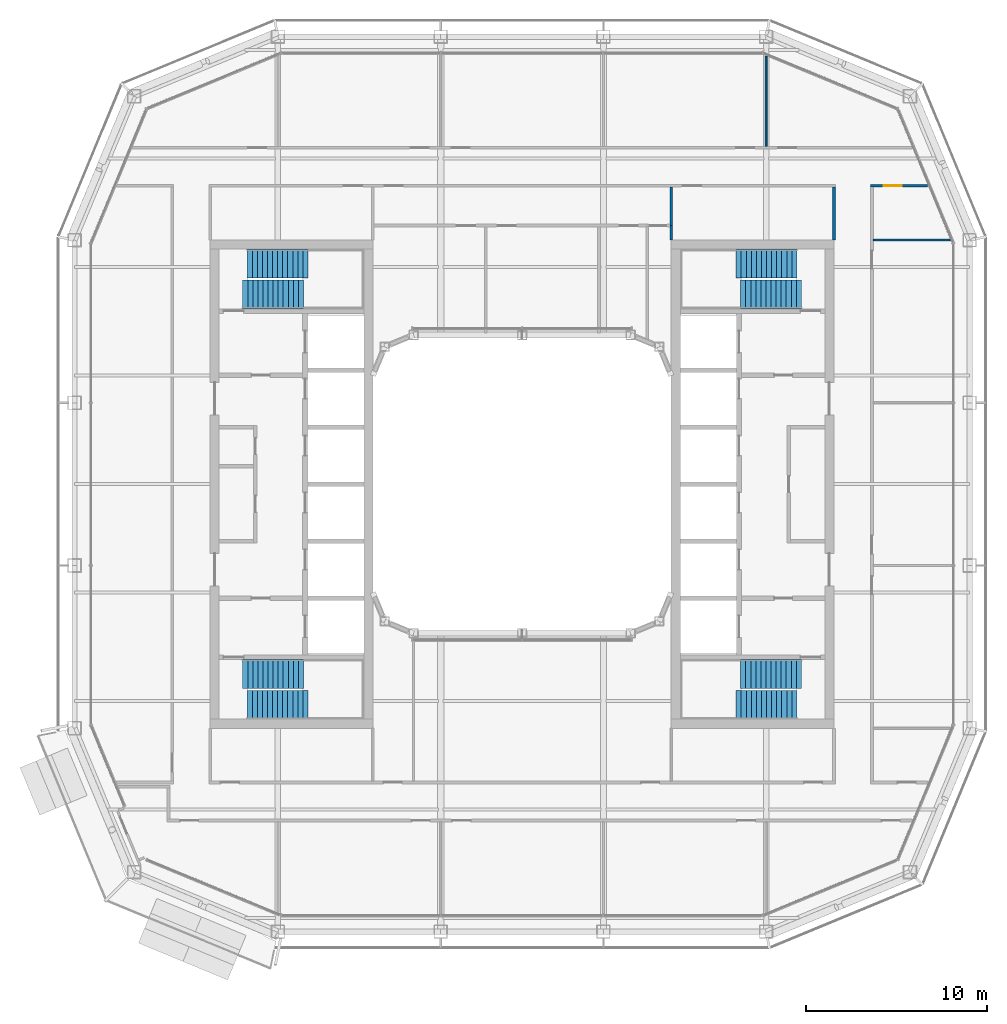
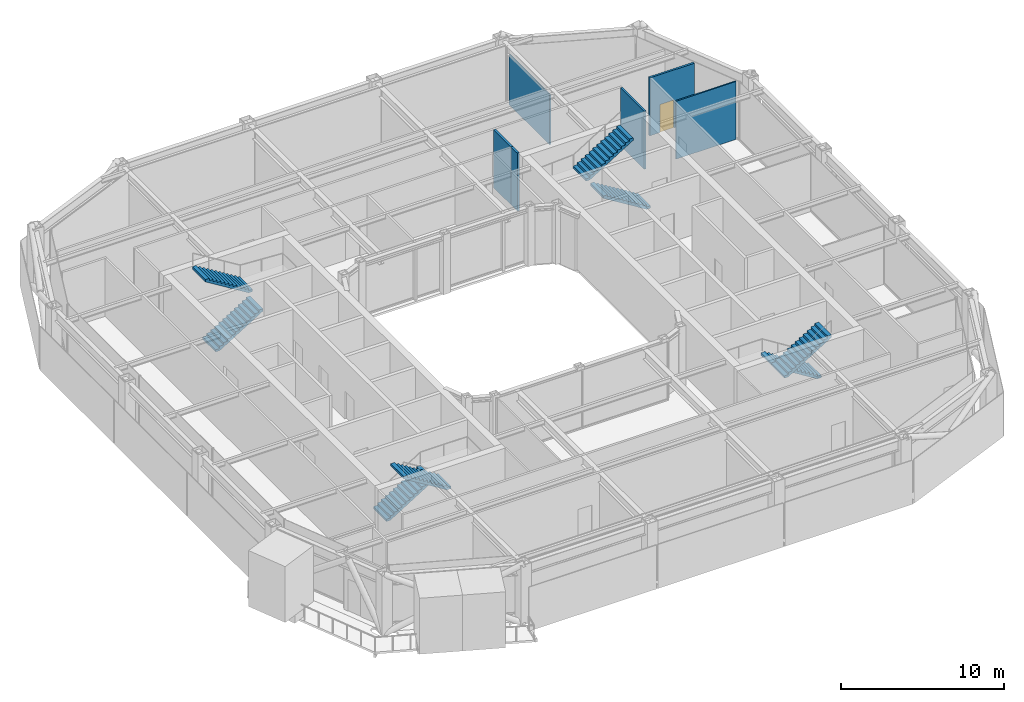
# One storey, part 13 of 20: 8 stair flights, 6 walls, 1 door, 1 opening, 4 elements without a shape of their own.
"""IFC4 building model written with IfcOpenShell, lengths in metres."""

from ifc_helpers import new_model, si_unit, direction, frame, frame_2d, origin, place, context, subcontext, project, spatial, polyline, rectangle, outline, extrude, material, layer, layer_set, type_object, element, fill, aggregate, save


model = new_model("IFC4")

# Units and contexts
model_context = context("Model", 3, precision=1e-05, world=origin(), true_north=direction((0.0, 1.0)))
body_context = subcontext(model_context, "Body", "Model", "MODEL_VIEW")
ifc_project = project(units=[si_unit("LENGTHUNIT", "METRE"), si_unit("AREAUNIT", "SQUARE_METRE"), si_unit("VOLUMEUNIT", "CUBIC_METRE"), si_unit("PLANEANGLEUNIT", "RADIAN"), si_unit("MASSUNIT", "GRAM", prefix="KILO")], contexts=[model_context])

# Site, building, storey
site_placement = place(None, origin())
site = spatial("IfcSite", under=ifc_project, at=site_placement, CompositionType="ELEMENT")
building_placement = place(site_placement, origin())
building = spatial("IfcBuilding", under=site, at=building_placement, Name="Siwar Civic Tower", CompositionType="ELEMENT")
storey_placement = place(building_placement, frame((0.0, 0.0, 298.699951171875)))
storey = spatial("IfcBuildingStorey", under=building, at=storey_placement, Name="L64", CompositionType="ELEMENT", Elevation=298.699951171875)

# Wall
ifc_material_1 = material(Name="Gypsum board on steel studs", Category="steel")
ifc_layer_1 = layer(ifc_material_1, 0.14990234375)
ifc_layer_set_1 = layer_set([ifc_layer_1], Name="Gypsum board on steel studs")
wall_type_1 = type_object("IfcWallType", Name="COMPARTMENT PARTITION 150 EI 60", PredefinedType="PARTITIONING", material=ifc_layer_set_1)
wall_1_placement = place(storey_placement, frame((8.25, 13.5, 0.0), z_axis=(0.0, 0.0, 1.0), x_axis=(0.0, 1.0, 0.0)))
element("IfcWall", 1, at=wall_1_placement, inside=storey, type_object=wall_type_1, Name="L64/wall/P34", PredefinedType="PARTITIONING", context=body_context, shape_type="SweptSolid", body=[
    extrude(rectangle(XDim=0.800048828125, YDim=0.14990234375, at=frame_2d((0.39990234375, 0.0))), origin(), (0.0, 0.0, 1.0), 4.35009765625),
])

# Wall, opening, door
ifc_material_2 = material(Name="Gypsum board on steel studs", Category="steel")
ifc_layer_2 = layer(ifc_material_2, 0.14990234375)
ifc_layer_set_2 = layer_set([ifc_layer_2], Name="Gypsum board on steel studs")
wall_type_2 = type_object("IfcWallType", Name="CORRIDOR PARTITION 150 EI 30", PredefinedType="PARTITIONING", material=ifc_layer_set_2)
wall_2_placement = place(storey_placement, frame((19.27490234375, 16.5, 0.0), z_axis=(0.0, 0.0, 1.0), x_axis=(1.0, 0.0, 0.0)))
wall_2 = element("IfcWall", 2, at=wall_2_placement, inside=storey, type_object=wall_type_2, Name="L64/wall/P14", PredefinedType="PARTITIONING", context=body_context, shape_type="SweptSolid", body=[
    extrude(rectangle(XDim=3.1611328125, YDim=0.14990234375, at=frame_2d((1.58056640625, 0.0))), origin(), (0.0, 0.0, 1.0), 4.35009765625),
])
opening_placement = place(wall_2_placement, frame((0.72509765625, 0.0, 0.0)))
opening = element("IfcOpeningElement", 3, at=opening_placement, cuts=wall_2, Name="Opening D1", PredefinedType="OPENING", context=body_context, shape_type="SweptSolid", body=[
    extrude(rectangle(XDim=1.0, YDim=2.10009765625, at=frame_2d((0.5, 1.050048828125))), frame((0.0, 0.0849609375, 0.0), z_axis=(0.0, -1.0, 0.0), x_axis=(1.0, 0.0, 0.0)), (0.0, 0.0, 1.0), 0.169921875),
])
ifc_material_3 = material(Name="Timber, painted", Category="wood")
door_type = type_object("IfcDoorType", Name="DOOR 1000 X 2100 FD30", OperationType="SINGLE_SWING_LEFT", PredefinedType="DOOR", material=ifc_material_3)
door_placement = place(opening_placement, origin())
door = element("IfcDoor", 4, at=door_placement, inside=storey, type_object=door_type, Name="L64-D27", OperationType="SINGLE_SWING_LEFT", OverallHeight=2.10009765625, OverallWidth=1.0, PredefinedType="DOOR", context=body_context, shape_type="SweptSolid", body=[
    extrude(rectangle(XDim=1.0, YDim=2.10009765625, at=frame_2d((0.5, 1.050048828125))), frame((0.0, 0.02490234375, 0.0), z_axis=(0.0, -1.0, 0.0), x_axis=(1.0, 0.0, 0.0)), (0.0, 0.0, 1.0), 0.050048828125),
])
fill(opening, door)

# Walls
wall_3_placement = place(storey_placement, frame((8.25, 14.300048828125, 0.0), z_axis=(0.0, 0.0, 1.0), x_axis=(0.0, 1.0, 0.0)))
element("IfcWall", 5, at=wall_3_placement, inside=storey, type_object=wall_type_2, Name="L64/wall/P33", PredefinedType="PARTITIONING", context=body_context, shape_type="SweptSolid", body=[
    extrude(rectangle(XDim=2.125, YDim=0.14990234375, at=frame_2d((1.0625, 0.0))), origin(), (0.0, 0.0, 1.0), 4.35009765625),
])
wall_4_placement = place(storey_placement, frame((17.25, 13.5, 0.0), z_axis=(0.0, 0.0, 1.0), x_axis=(0.0, 1.0, 0.0)))
element("IfcWall", 6, at=wall_4_placement, inside=storey, type_object=wall_type_2, Name="L64/wall/P38", PredefinedType="PARTITIONING", context=body_context, shape_type="SweptSolid", body=[
    extrude(rectangle(XDim=2.925048828125, YDim=0.14990234375, at=frame_2d((1.46240234375, 0.0))), origin(), (0.0, 0.0, 1.0), 4.35009765625),
])
ifc_material_4 = material(Name="Gypsum board on steel studs", Category="steel")
ifc_layer_3 = layer(ifc_material_4, 0.10009765625)
ifc_layer_set_3 = layer_set([ifc_layer_3], Name="Gypsum board on steel studs")
wall_type_3 = type_object("IfcWallType", Name="PARTITION 100 GYPSUM", PredefinedType="PARTITIONING", material=ifc_layer_set_3)
wall_5_placement = place(storey_placement, frame((19.425048828125, 13.5, 0.0), z_axis=(0.0, 0.0, 1.0), x_axis=(1.0, 0.0, 0.0)))
element("IfcWall", 7, at=wall_5_placement, inside=storey, type_object=wall_type_3, Name="L64/wall/P09", PredefinedType="PARTITIONING", context=body_context, shape_type="SweptSolid", body=[
    extrude(rectangle(XDim=4.2529296875, YDim=0.10009765625, at=frame_2d((2.12646484375, 0.0))), origin(), (0.0, 0.0, 1.0), 4.35009765625),
])
wall_6_placement = place(storey_placement, frame((13.5, 18.675048828125, 0.0), z_axis=(0.0, 0.0, 1.0), x_axis=(0.0, 1.0, 0.0)))
element("IfcWall", 8, at=wall_6_placement, inside=storey, type_object=wall_type_3, Name="L64/wall/P36", PredefinedType="PARTITIONING", context=body_context, shape_type="SweptSolid", body=[
    extrude(rectangle(XDim=5.0029296875, YDim=0.10009765625, at=frame_2d((2.50146484375, 0.0))), origin(), (0.0, 0.0, 1.0), 3.75),
])

# Stair, stair flights
ifc_material_5 = material(Name="Concrete C40/50", Category="concrete")
stair_type = type_object("IfcStairType", Name="CORE-STAIR", PredefinedType="TWO_STRAIGHT_RUN_STAIR", material=ifc_material_5)
stair_1_placement = place(storey_placement, origin())
stair_1 = element("IfcStair", 9, at=stair_1_placement, inside=storey, type_object=stair_type, Name="Exit stair ST1", PredefinedType="TWO_STRAIGHT_RUN_STAIR")
ifc_material_6 = material(Name="Concrete C40/50", Category="concrete")
stair_flight_type = type_object("IfcStairFlightType", Name="CORE-STAIR-FLIGHT", PredefinedType="STRAIGHT", material=ifc_material_6)
stair_flight_1_placement = place(storey_placement, frame((-15.449951171875, 10.5, 0.0), z_axis=(0.0, 0.0, 1.0), x_axis=(1.0, 0.0, 0.0)))
stair_flight_1 = element("IfcStairFlight", 10, at=stair_flight_1_placement, type_object=stair_flight_type, Name="ST1 flight 1", NumberOfRisers=13, NumberOfTreads=12, PredefinedType="STRAIGHT", RiserHeight=0.173076923, TreadLength=0.28, context=body_context, shape_type="SweptSolid", body=[
    extrude(outline(polyline([(0.0, 0.0), (0.0, 0.173095703125), (0.280029296875, 0.173095703125), (0.280029296875, 0.34619140625), (0.56005859375, 0.34619140625), (0.56005859375, 0.519287109375), (0.840087890625, 0.519287109375), (0.840087890625, 0.6923828125), (1.1201171875, 0.6923828125), (1.1201171875, 0.865478515625), (1.39990234375, 0.865478515625), (1.39990234375, 1.03857421875), (1.679931640625, 1.03857421875), (1.679931640625, 1.21142578125), (1.9599609375, 1.21142578125), (1.9599609375, 1.384521484375), (2.239990234375, 1.384521484375), (2.239990234375, 1.5576171875), (2.52001953125, 1.5576171875), (2.52001953125, 1.730712890625), (2.800048828125, 1.730712890625), (2.800048828125, 1.90380859375), (3.080078125, 1.90380859375), (3.080078125, 2.076904296875), (3.360107421875, 2.076904296875), (3.360107421875, 2.25), (3.360107421875, 1.900634765625), (0.28515625, 0.0), (0.0, 0.0)])), frame((0.0, 0.800048828125, 0.0), z_axis=(0.0, -1.0, 0.0), x_axis=(1.0, 0.0, 0.0)), (0.0, 0.0, 1.0), 1.60009765625),
])
stair_flight_2_placement = place(storey_placement, frame((-11.840087890625, 12.199951171875, 2.25), z_axis=(0.0, 0.0, 1.0), x_axis=(-1.0, 0.0, 0.0)))
stair_flight_2 = element("IfcStairFlight", 11, at=stair_flight_2_placement, type_object=stair_flight_type, Name="ST1 flight 2", NumberOfRisers=13, NumberOfTreads=12, PredefinedType="STRAIGHT", RiserHeight=0.173076923, TreadLength=0.28, context=body_context, shape_type="SweptSolid", body=[
    extrude(outline(polyline([(0.0, 0.0), (0.0, 0.173095703125), (0.280029296875, 0.173095703125), (0.280029296875, 0.34619140625), (0.56005859375, 0.34619140625), (0.56005859375, 0.519287109375), (0.840087890625, 0.519287109375), (0.840087890625, 0.6923828125), (1.1201171875, 0.6923828125), (1.1201171875, 0.865478515625), (1.39990234375, 0.865478515625), (1.39990234375, 1.03857421875), (1.679931640625, 1.03857421875), (1.679931640625, 1.21142578125), (1.9599609375, 1.21142578125), (1.9599609375, 1.384521484375), (2.239990234375, 1.384521484375), (2.239990234375, 1.5576171875), (2.52001953125, 1.5576171875), (2.52001953125, 1.730712890625), (2.800048828125, 1.730712890625), (2.800048828125, 1.90380859375), (3.080078125, 1.90380859375), (3.080078125, 2.076904296875), (3.360107421875, 2.076904296875), (3.360107421875, 2.25), (3.360107421875, 1.900634765625), (0.28515625, 0.0), (0.0, 0.0)])), frame((0.0, 0.800048828125, 0.0), z_axis=(0.0, -1.0, 0.0), x_axis=(1.0, 0.0, 0.0)), (0.0, 0.0, 1.0), 1.60009765625),
])
aggregate(stair_1, [stair_flight_1, stair_flight_2])

stair_2_placement = place(storey_placement, origin())
stair_2 = element("IfcStair", 12, at=stair_2_placement, inside=storey, type_object=stair_type, Name="Exit stair ST2", PredefinedType="TWO_STRAIGHT_RUN_STAIR")
stair_flight_3_placement = place(storey_placement, frame((-15.449951171875, -10.5, 0.0), z_axis=(0.0, 0.0, 1.0), x_axis=(1.0, 0.0, 0.0)))
stair_flight_3 = element("IfcStairFlight", 13, at=stair_flight_3_placement, type_object=stair_flight_type, Name="ST2 flight 1", NumberOfRisers=13, NumberOfTreads=12, PredefinedType="STRAIGHT", RiserHeight=0.173076923, TreadLength=0.28, context=body_context, shape_type="SweptSolid", body=[
    extrude(outline(polyline([(0.0, 0.0), (0.0, 0.173095703125), (0.280029296875, 0.173095703125), (0.280029296875, 0.34619140625), (0.56005859375, 0.34619140625), (0.56005859375, 0.519287109375), (0.840087890625, 0.519287109375), (0.840087890625, 0.6923828125), (1.1201171875, 0.6923828125), (1.1201171875, 0.865478515625), (1.39990234375, 0.865478515625), (1.39990234375, 1.03857421875), (1.679931640625, 1.03857421875), (1.679931640625, 1.21142578125), (1.9599609375, 1.21142578125), (1.9599609375, 1.384521484375), (2.239990234375, 1.384521484375), (2.239990234375, 1.5576171875), (2.52001953125, 1.5576171875), (2.52001953125, 1.730712890625), (2.800048828125, 1.730712890625), (2.800048828125, 1.90380859375), (3.080078125, 1.90380859375), (3.080078125, 2.076904296875), (3.360107421875, 2.076904296875), (3.360107421875, 2.25), (3.360107421875, 1.900634765625), (0.28515625, 0.0), (0.0, 0.0)])), frame((0.0, 0.800048828125, 0.0), z_axis=(0.0, -1.0, 0.0), x_axis=(1.0, 0.0, 0.0)), (0.0, 0.0, 1.0), 1.60009765625),
])
stair_flight_4_placement = place(storey_placement, frame((-11.840087890625, -12.199951171875, 2.25), z_axis=(0.0, 0.0, 1.0), x_axis=(-1.0, 0.0, 0.0)))
stair_flight_4 = element("IfcStairFlight", 14, at=stair_flight_4_placement, type_object=stair_flight_type, Name="ST2 flight 2", NumberOfRisers=13, NumberOfTreads=12, PredefinedType="STRAIGHT", RiserHeight=0.173076923, TreadLength=0.28, context=body_context, shape_type="SweptSolid", body=[
    extrude(outline(polyline([(0.0, 0.0), (0.0, 0.173095703125), (0.280029296875, 0.173095703125), (0.280029296875, 0.34619140625), (0.56005859375, 0.34619140625), (0.56005859375, 0.519287109375), (0.840087890625, 0.519287109375), (0.840087890625, 0.6923828125), (1.1201171875, 0.6923828125), (1.1201171875, 0.865478515625), (1.39990234375, 0.865478515625), (1.39990234375, 1.03857421875), (1.679931640625, 1.03857421875), (1.679931640625, 1.21142578125), (1.9599609375, 1.21142578125), (1.9599609375, 1.384521484375), (2.239990234375, 1.384521484375), (2.239990234375, 1.5576171875), (2.52001953125, 1.5576171875), (2.52001953125, 1.730712890625), (2.800048828125, 1.730712890625), (2.800048828125, 1.90380859375), (3.080078125, 1.90380859375), (3.080078125, 2.076904296875), (3.360107421875, 2.076904296875), (3.360107421875, 2.25), (3.360107421875, 1.900634765625), (0.28515625, 0.0), (0.0, 0.0)])), frame((0.0, 0.800048828125, 0.0), z_axis=(0.0, -1.0, 0.0), x_axis=(1.0, 0.0, 0.0)), (0.0, 0.0, 1.0), 1.60009765625),
])
aggregate(stair_2, [stair_flight_3, stair_flight_4])

stair_3_placement = place(storey_placement, origin())
stair_3 = element("IfcStair", 15, at=stair_3_placement, inside=storey, type_object=stair_type, Name="Exit stair ST3", PredefinedType="TWO_STRAIGHT_RUN_STAIR")
stair_flight_5_placement = place(storey_placement, frame((15.449951171875, 10.5, 0.0), z_axis=(0.0, 0.0, 1.0), x_axis=(-1.0, 0.0, 0.0)))
stair_flight_5 = element("IfcStairFlight", 16, at=stair_flight_5_placement, type_object=stair_flight_type, Name="ST3 flight 1", NumberOfRisers=13, NumberOfTreads=12, PredefinedType="STRAIGHT", RiserHeight=0.173076923, TreadLength=0.28, context=body_context, shape_type="SweptSolid", body=[
    extrude(outline(polyline([(0.0, 0.0), (0.0, 0.173095703125), (0.280029296875, 0.173095703125), (0.280029296875, 0.34619140625), (0.56005859375, 0.34619140625), (0.56005859375, 0.519287109375), (0.840087890625, 0.519287109375), (0.840087890625, 0.6923828125), (1.1201171875, 0.6923828125), (1.1201171875, 0.865478515625), (1.39990234375, 0.865478515625), (1.39990234375, 1.03857421875), (1.679931640625, 1.03857421875), (1.679931640625, 1.21142578125), (1.9599609375, 1.21142578125), (1.9599609375, 1.384521484375), (2.239990234375, 1.384521484375), (2.239990234375, 1.5576171875), (2.52001953125, 1.5576171875), (2.52001953125, 1.730712890625), (2.800048828125, 1.730712890625), (2.800048828125, 1.90380859375), (3.080078125, 1.90380859375), (3.080078125, 2.076904296875), (3.360107421875, 2.076904296875), (3.360107421875, 2.25), (3.360107421875, 1.900634765625), (0.28515625, 0.0), (0.0, 0.0)])), frame((0.0, 0.800048828125, 0.0), z_axis=(0.0, -1.0, 0.0), x_axis=(1.0, 0.0, 0.0)), (0.0, 0.0, 1.0), 1.60009765625),
])
stair_flight_6_placement = place(storey_placement, frame((11.840087890625, 12.199951171875, 2.25), z_axis=(0.0, 0.0, 1.0), x_axis=(1.0, 0.0, 0.0)))
stair_flight_6 = element("IfcStairFlight", 17, at=stair_flight_6_placement, type_object=stair_flight_type, Name="ST3 flight 2", NumberOfRisers=13, NumberOfTreads=12, PredefinedType="STRAIGHT", RiserHeight=0.173076923, TreadLength=0.28, context=body_context, shape_type="SweptSolid", body=[
    extrude(outline(polyline([(0.0, 0.0), (0.0, 0.173095703125), (0.280029296875, 0.173095703125), (0.280029296875, 0.34619140625), (0.56005859375, 0.34619140625), (0.56005859375, 0.519287109375), (0.840087890625, 0.519287109375), (0.840087890625, 0.6923828125), (1.1201171875, 0.6923828125), (1.1201171875, 0.865478515625), (1.39990234375, 0.865478515625), (1.39990234375, 1.03857421875), (1.679931640625, 1.03857421875), (1.679931640625, 1.21142578125), (1.9599609375, 1.21142578125), (1.9599609375, 1.384521484375), (2.239990234375, 1.384521484375), (2.239990234375, 1.5576171875), (2.52001953125, 1.5576171875), (2.52001953125, 1.730712890625), (2.800048828125, 1.730712890625), (2.800048828125, 1.90380859375), (3.080078125, 1.90380859375), (3.080078125, 2.076904296875), (3.360107421875, 2.076904296875), (3.360107421875, 2.25), (3.360107421875, 1.900634765625), (0.28515625, 0.0), (0.0, 0.0)])), frame((0.0, 0.800048828125, 0.0), z_axis=(0.0, -1.0, 0.0), x_axis=(1.0, 0.0, 0.0)), (0.0, 0.0, 1.0), 1.60009765625),
])
aggregate(stair_3, [stair_flight_5, stair_flight_6])

stair_4_placement = place(storey_placement, origin())
stair_4 = element("IfcStair", 18, at=stair_4_placement, inside=storey, type_object=stair_type, Name="Exit stair ST4", PredefinedType="TWO_STRAIGHT_RUN_STAIR")
stair_flight_7_placement = place(storey_placement, frame((15.449951171875, -10.5, 0.0), z_axis=(0.0, 0.0, 1.0), x_axis=(-1.0, 0.0, 0.0)))
stair_flight_7 = element("IfcStairFlight", 19, at=stair_flight_7_placement, type_object=stair_flight_type, Name="ST4 flight 1", NumberOfRisers=13, NumberOfTreads=12, PredefinedType="STRAIGHT", RiserHeight=0.173076923, TreadLength=0.28, context=body_context, shape_type="SweptSolid", body=[
    extrude(outline(polyline([(0.0, 0.0), (0.0, 0.173095703125), (0.280029296875, 0.173095703125), (0.280029296875, 0.34619140625), (0.56005859375, 0.34619140625), (0.56005859375, 0.519287109375), (0.840087890625, 0.519287109375), (0.840087890625, 0.6923828125), (1.1201171875, 0.6923828125), (1.1201171875, 0.865478515625), (1.39990234375, 0.865478515625), (1.39990234375, 1.03857421875), (1.679931640625, 1.03857421875), (1.679931640625, 1.21142578125), (1.9599609375, 1.21142578125), (1.9599609375, 1.384521484375), (2.239990234375, 1.384521484375), (2.239990234375, 1.5576171875), (2.52001953125, 1.5576171875), (2.52001953125, 1.730712890625), (2.800048828125, 1.730712890625), (2.800048828125, 1.90380859375), (3.080078125, 1.90380859375), (3.080078125, 2.076904296875), (3.360107421875, 2.076904296875), (3.360107421875, 2.25), (3.360107421875, 1.900634765625), (0.28515625, 0.0), (0.0, 0.0)])), frame((0.0, 0.800048828125, 0.0), z_axis=(0.0, -1.0, 0.0), x_axis=(1.0, 0.0, 0.0)), (0.0, 0.0, 1.0), 1.60009765625),
])
stair_flight_8_placement = place(storey_placement, frame((11.840087890625, -12.199951171875, 2.25), z_axis=(0.0, 0.0, 1.0), x_axis=(1.0, 0.0, 0.0)))
stair_flight_8 = element("IfcStairFlight", 20, at=stair_flight_8_placement, type_object=stair_flight_type, Name="ST4 flight 2", NumberOfRisers=13, NumberOfTreads=12, PredefinedType="STRAIGHT", RiserHeight=0.173076923, TreadLength=0.28, context=body_context, shape_type="SweptSolid", body=[
    extrude(outline(polyline([(0.0, 0.0), (0.0, 0.173095703125), (0.280029296875, 0.173095703125), (0.280029296875, 0.34619140625), (0.56005859375, 0.34619140625), (0.56005859375, 0.519287109375), (0.840087890625, 0.519287109375), (0.840087890625, 0.6923828125), (1.1201171875, 0.6923828125), (1.1201171875, 0.865478515625), (1.39990234375, 0.865478515625), (1.39990234375, 1.03857421875), (1.679931640625, 1.03857421875), (1.679931640625, 1.21142578125), (1.9599609375, 1.21142578125), (1.9599609375, 1.384521484375), (2.239990234375, 1.384521484375), (2.239990234375, 1.5576171875), (2.52001953125, 1.5576171875), (2.52001953125, 1.730712890625), (2.800048828125, 1.730712890625), (2.800048828125, 1.90380859375), (3.080078125, 1.90380859375), (3.080078125, 2.076904296875), (3.360107421875, 2.076904296875), (3.360107421875, 2.25), (3.360107421875, 1.900634765625), (0.28515625, 0.0), (0.0, 0.0)])), frame((0.0, 0.800048828125, 0.0), z_axis=(0.0, -1.0, 0.0), x_axis=(1.0, 0.0, 0.0)), (0.0, 0.0, 1.0), 1.60009765625),
])
aggregate(stair_4, [stair_flight_7, stair_flight_8])

save(model, "model.ifc")
